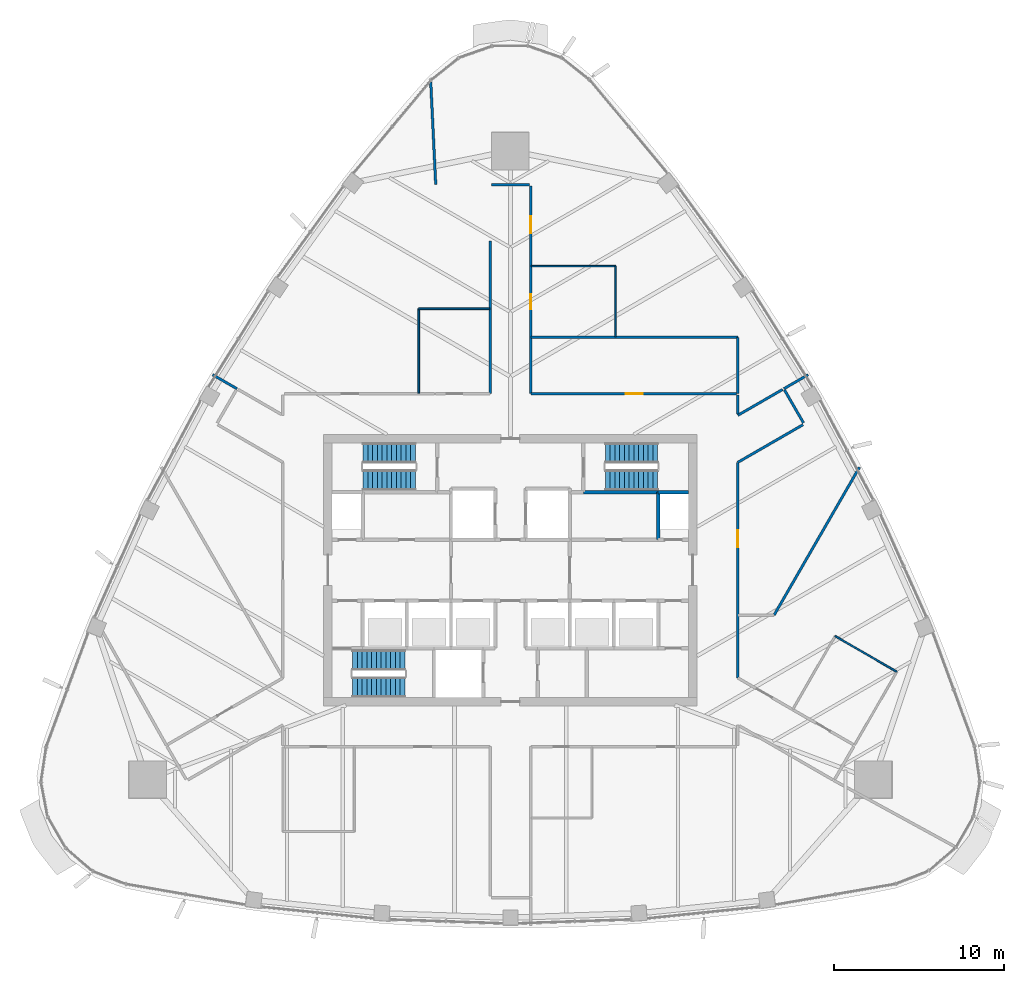
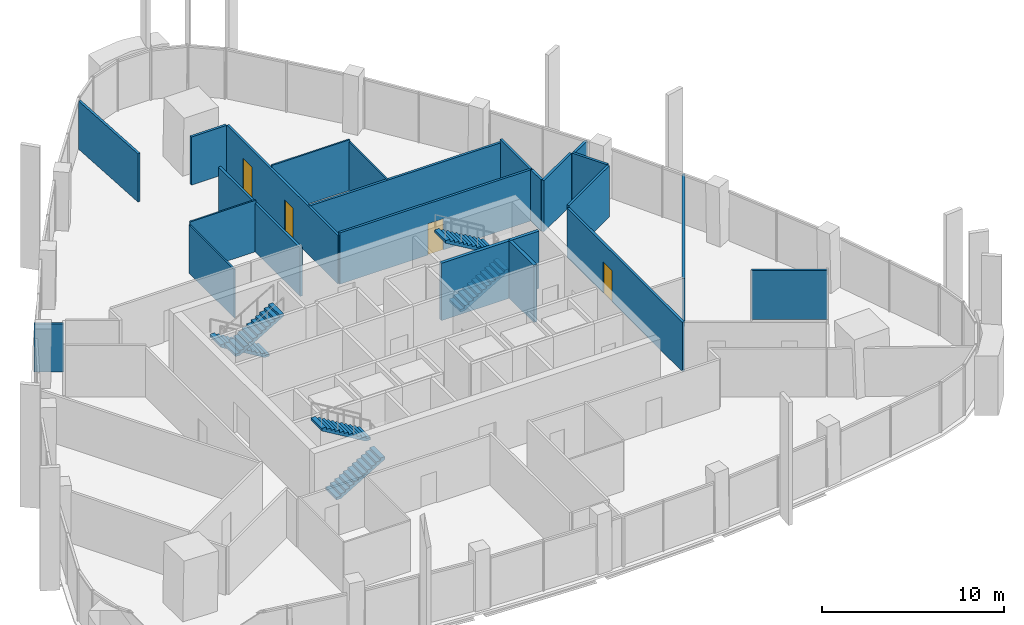
# One storey, part 11 of 18: 23 walls, 6 stair flights, 4 doors, 4 openings, 3 elements without a shape of their own.
"""IFC4 building model written with IfcOpenShell, lengths in metres."""

from ifc_helpers import new_model, si_unit, direction, frame, frame_2d, origin, place, context, subcontext, project, spatial, polyline, rectangle, outline, extrude, material, layer, layer_set, type_object, element, fill, aggregate, save


model = new_model("IFC4")

# Units and contexts
model_context = context("Model", 3, precision=1e-05, world=origin(), true_north=direction((0.0, 1.0)))
body_context = subcontext(model_context, "Body", "Model", "MODEL_VIEW")
ifc_project = project(units=[si_unit("LENGTHUNIT", "METRE"), si_unit("AREAUNIT", "SQUARE_METRE"), si_unit("VOLUMEUNIT", "CUBIC_METRE"), si_unit("PLANEANGLEUNIT", "RADIAN"), si_unit("MASSUNIT", "GRAM", prefix="KILO")], contexts=[model_context])

# Site, building, storey
site_placement = place(None, origin())
site = spatial("IfcSite", under=ifc_project, at=site_placement, CompositionType="ELEMENT")
building_placement = place(site_placement, origin())
building = spatial("IfcBuilding", under=site, at=building_placement, Name="Sierra Prisma Convention Tower", CompositionType="ELEMENT")
storey_placement = place(building_placement, frame((0.0, 0.0, 263.0)))
storey = spatial("IfcBuildingStorey", under=building, at=storey_placement, Name="L59", CompositionType="ELEMENT", Elevation=263.0)

# Walls
ifc_material_1 = material(Name="Gypsum board partition", Category="gypsum")
ifc_layer_1 = layer(ifc_material_1, 0.10009765625)
ifc_layer_set_1 = layer_set([ifc_layer_1], Name="Bathroom partition 100")
wall_type_1 = type_object("IfcWallType", Name="Bathroom partition 100", PredefinedType="PARTITIONING", material=ifc_layer_set_1)
wall_1_placement = place(storey_placement, frame((-5.39990234375, 10.429931640625, 0.0), z_axis=(0.0, 0.0, 1.0), x_axis=(0.0, 1.0, 0.0)))
element("IfcWall", 1, at=wall_1_placement, inside=storey, type_object=wall_type_1, Name="Partition L59 bath 4", PredefinedType="PARTITIONING", context=body_context, shape_type="SweptSolid", body=[
    extrude(rectangle(XDim=4.969970703125, YDim=0.10009765625, at=frame_2d((2.48486328125, 0.0))), origin(), (0.0, 0.0, 1.0), 3.2470703125),
])
wall_2_placement = place(storey_placement, frame((-5.39990234375, 15.39990234375, 0.0), z_axis=(0.0, 0.0, 1.0), x_axis=(1.0, 0.0, 0.0)))
element("IfcWall", 2, at=wall_2_placement, inside=storey, type_object=wall_type_1, Name="Partition L59 bath 5", PredefinedType="PARTITIONING", context=body_context, shape_type="SweptSolid", body=[
    extrude(rectangle(XDim=4.169921875, YDim=0.10009765625, at=frame_2d((2.0849609375, 0.0))), origin(), (0.0, 0.0, 1.0), 3.449951171875),
])
wall_3_placement = place(storey_placement, frame((1.22998046875, 17.9111328125, 0.0), z_axis=(0.0, 0.0, 1.0), x_axis=(1.0, 0.0, 0.0)))
element("IfcWall", 3, at=wall_3_placement, inside=storey, type_object=wall_type_1, Name="Partition L59 bath 8", PredefinedType="PARTITIONING", context=body_context, shape_type="SweptSolid", body=[
    extrude(rectangle(XDim=4.969970703125, YDim=0.10009765625, at=frame_2d((2.48486328125, 0.0))), origin(), (0.0, 0.0, 1.0), 3.39306640625),
])
wall_4_placement = place(storey_placement, frame((6.199951171875, 17.9111328125, 0.0), z_axis=(0.0, 0.0, 1.0), x_axis=(0.0, -1.0, 0.0)))
element("IfcWall", 4, at=wall_4_placement, inside=storey, type_object=wall_type_1, Name="Partition L59 bath 9", PredefinedType="PARTITIONING", context=body_context, shape_type="SweptSolid", body=[
    extrude(rectangle(XDim=4.169921875, YDim=0.10009765625, at=frame_2d((2.0849609375, 0.0))), origin(), (0.0, 0.0, 1.0), 3.2470703125),
])
wall_5_placement = place(storey_placement, frame((19.131103515625, -3.88623046875, 0.0), z_axis=(0.0, 0.0, 1.0), x_axis=(0.866034573852, -0.49998411664, 0.0)))
element("IfcWall", 5, at=wall_5_placement, inside=storey, type_object=wall_type_1, Name="Partition L59 bath 11", PredefinedType="PARTITIONING", context=body_context, shape_type="SweptSolid", body=[
    extrude(rectangle(XDim=4.199951171875, YDim=0.10009765625, at=frame_2d((2.10009765625, 0.0))), origin(), (0.0, 0.0, 1.0), 3.31689453125),
])
ifc_material_2 = material(Name="Concrete C30/37", Category="concrete")
ifc_layer_2 = layer(ifc_material_2, 0.199951171875)
ifc_layer_set_2 = layer_set([ifc_layer_2], Name="Core wall RC 200 C30/37")
wall_type_2 = type_object("IfcWallType", Name="Core wall RC 200 C30/37", PredefinedType="SOLIDWALL", material=ifc_layer_set_2)
wall_6_placement = place(storey_placement, frame((8.699951171875, 4.60009765625, 0.0), z_axis=(0.0, 0.0, 1.0), x_axis=(-1.0, 0.0, 0.0)))
element("IfcWall", 6, at=wall_6_placement, inside=storey, type_object=wall_type_2, Name="Core wall L59 48", PredefinedType="SOLIDWALL", context=body_context, shape_type="SweptSolid", body=[
    extrude(rectangle(XDim=4.39990234375, YDim=0.199951171875, at=frame_2d((2.199951171875, 0.0))), origin(), (0.0, 0.0, 1.0), 3.85009765625),
])
wall_7_placement = place(storey_placement, frame((8.699951171875, 1.800048828125, 0.0), z_axis=(0.0, 0.0, 1.0), x_axis=(0.0, 1.0, 0.0)))
element("IfcWall", 7, at=wall_7_placement, inside=storey, type_object=wall_type_2, Name="Core wall L59 59", PredefinedType="SOLIDWALL", context=body_context, shape_type="SweptSolid", body=[
    extrude(rectangle(XDim=2.800048828125, YDim=0.199951171875, at=frame_2d((1.39990234375, 0.0))), origin(), (0.0, 0.0, 1.0), 3.85009765625),
])
wall_8_placement = place(storey_placement, frame((10.5, 4.60009765625, 0.0), z_axis=(0.0, 0.0, 1.0), x_axis=(-1.0, 0.0, 0.0)))
element("IfcWall", 8, at=wall_8_placement, inside=storey, type_object=wall_type_2, Name="Core wall L59 60", PredefinedType="SOLIDWALL", context=body_context, shape_type="SweptSolid", body=[
    extrude(rectangle(XDim=1.800048828125, YDim=0.199951171875, at=frame_2d((0.89990234375, 0.0))), origin(), (0.0, 0.0, 1.0), 3.85009765625),
])
ifc_material_3 = material(Name="Gypsum board partition", Category="gypsum")
ifc_layer_3 = layer(ifc_material_3, 0.14990234375)
ifc_layer_set_3 = layer_set([ifc_layer_3], Name="Corridor wall 150 gypsum EI 60")
wall_type_3 = type_object("IfcWallType", Name="Corridor wall 150 gypsum EI 60", PredefinedType="PARTITIONING", material=ifc_layer_set_3)
wall_9_placement = place(storey_placement, frame((-1.199951171875, 19.39990234375, 0.0), z_axis=(0.0, 0.0, 1.0), x_axis=(0.0, -1.0, 0.0)))
element("IfcWall", 9, at=wall_9_placement, inside=storey, type_object=wall_type_3, Name="Partition L59 corr 13", PredefinedType="PARTITIONING", context=body_context, shape_type="SweptSolid", body=[
    extrude(rectangle(XDim=9.0, YDim=0.14990234375, at=frame_2d((4.5, 0.0))), origin(), (0.0, 0.0, 1.0), 3.2470703125),
])
wall_10_placement = place(storey_placement, frame((1.1201171875, 22.711181640625, 0.0), z_axis=(0.0, 0.0, 1.0), x_axis=(-1.0, 0.0, 0.0)))
element("IfcWall", 10, at=wall_10_placement, inside=storey, type_object=wall_type_3, Name="Partition L59 corr 16", PredefinedType="PARTITIONING", context=body_context, shape_type="SweptSolid", body=[
    extrude(rectangle(XDim=2.240234375, YDim=0.14990234375, at=frame_2d((1.1201171875, 0.0))), origin(), (0.0, 0.0, 1.0), 3.23291015625),
])

# Wall, opening, door
wall_11_placement = place(storey_placement, frame((13.320068359375, 10.39990234375, 0.0), z_axis=(0.0, 0.0, 1.0), x_axis=(-1.0, 0.0, 0.0)))
wall_11 = element("IfcWall", 11, at=wall_11_placement, inside=storey, type_object=wall_type_3, Name="Partition L59 corr 19", PredefinedType="PARTITIONING", context=body_context, shape_type="SweptSolid", body=[
    extrude(rectangle(XDim=12.1201171875, YDim=0.14990234375, at=frame_2d((6.06005859375, 0.0))), origin(), (0.0, 0.0, 1.0), 3.443115234375),
])
opening_1_placement = place(wall_11_placement, frame((5.52001953125, 0.0, 0.0)))
opening_1 = element("IfcOpeningElement", 12, at=opening_1_placement, cuts=wall_11, Name="Opening L59-D026", PredefinedType="OPENING", context=body_context, shape_type="SweptSolid", body=[
    extrude(rectangle(XDim=1.0, YDim=2.10009765625, at=frame_2d((0.5, 1.050048828125))), frame((0.0, 0.074951171875, 0.0), z_axis=(0.0, -1.0, 0.0), x_axis=(1.0, 0.0, 0.0)), (0.0, 0.0, 1.0), 0.14990234375),
])
ifc_material_4 = material(Name="Steel fire door leaf", Category="steel")
door_type_1 = type_object("IfcDoorType", Name="Door 1000x2100 FD30S", OperationType="SINGLE_SWING_LEFT", PredefinedType="DOOR", material=ifc_material_4)
door_1_placement = place(opening_1_placement, origin())
door_1 = element("IfcDoor", 13, at=door_1_placement, inside=storey, type_object=door_type_1, Name="Door L59 2", OperationType="SINGLE_SWING_RIGHT", OverallHeight=2.10009765625, OverallWidth=1.0, PredefinedType="DOOR", context=body_context, shape_type="SweptSolid", body=[
    extrude(rectangle(XDim=1.0, YDim=2.10009765625, at=frame_2d((0.5, 1.050048828125))), frame((0.0, 0.02490234375, 0.0), z_axis=(0.0, -1.0, 0.0), x_axis=(1.0, 0.0, 0.0)), (0.0, 0.0, 1.0), 0.050048828125),
])
fill(opening_1, door_1)

# Wall, openings, doors
wall_12_placement = place(storey_placement, frame((1.199951171875, 10.39990234375, 0.0), z_axis=(0.0, 0.0, 1.0), x_axis=(0.0, 1.0, 0.0)))
wall_12 = element("IfcWall", 14, at=wall_12_placement, inside=storey, type_object=wall_type_3, Name="Partition L59 corr 20", PredefinedType="PARTITIONING", context=body_context, shape_type="SweptSolid", body=[
    extrude(rectangle(XDim=12.231201171875, YDim=0.14990234375, at=frame_2d((6.11572265625, 0.0))), origin(), (0.0, 0.0, 1.0), 3.2470703125),
])
opening_2_placement = place(wall_12_placement, frame((4.961181640625, 0.0, 0.0)))
opening_2 = element("IfcOpeningElement", 15, at=opening_2_placement, cuts=wall_12, Name="Opening L59-D027", PredefinedType="OPENING", context=body_context, shape_type="SweptSolid", body=[
    extrude(rectangle(XDim=0.89990234375, YDim=2.10009765625, at=frame_2d((0.449951171875, 1.050048828125))), frame((0.0, 0.074951171875, 0.0), z_axis=(0.0, -1.0, 0.0), x_axis=(1.0, 0.0, 0.0)), (0.0, 0.0, 1.0), 0.14990234375),
])
opening_3_placement = place(wall_12_placement, frame((9.461181640625, 0.0, 0.0)))
opening_3 = element("IfcOpeningElement", 16, at=opening_3_placement, cuts=wall_12, Name="Opening L59-D028", PredefinedType="OPENING", context=body_context, shape_type="SweptSolid", body=[
    extrude(rectangle(XDim=1.0, YDim=2.10009765625, at=frame_2d((0.5, 1.050048828125))), frame((0.0, 0.074951171875, 0.0), z_axis=(0.0, -1.0, 0.0), x_axis=(1.0, 0.0, 0.0)), (0.0, 0.0, 1.0), 0.14990234375),
])
door_2_placement = place(opening_3_placement, origin())
door_2 = element("IfcDoor", 17, at=door_2_placement, inside=storey, type_object=door_type_1, Name="Door L59 4", OperationType="SINGLE_SWING_RIGHT", OverallHeight=2.10009765625, OverallWidth=1.0, PredefinedType="DOOR", context=body_context, shape_type="SweptSolid", body=[
    extrude(rectangle(XDim=1.0, YDim=2.10009765625, at=frame_2d((0.5, 1.050048828125))), frame((0.0, 0.02490234375, 0.0), z_axis=(0.0, -1.0, 0.0), x_axis=(1.0, 0.0, 0.0)), (0.0, 0.0, 1.0), 0.050048828125),
])
fill(opening_3, door_2)
ifc_material_5 = material(Name="Steel fire door leaf", Category="steel")
door_type_2 = type_object("IfcDoorType", Name="Door 900x2100 FD30S", OperationType="SINGLE_SWING_LEFT", PredefinedType="DOOR", material=ifc_material_5)
door_3_placement = place(opening_2_placement, origin())
door_3 = element("IfcDoor", 18, at=door_3_placement, inside=storey, type_object=door_type_2, Name="Door L59 3", OperationType="SINGLE_SWING_RIGHT", OverallHeight=2.10009765625, OverallWidth=0.89990234375, PredefinedType="DOOR", context=body_context, shape_type="SweptSolid", body=[
    extrude(rectangle(XDim=0.89990234375, YDim=2.10009765625, at=frame_2d((0.449951171875, 1.050048828125))), frame((0.0, 0.02490234375, 0.0), z_axis=(0.0, -1.0, 0.0), x_axis=(1.0, 0.0, 0.0)), (0.0, 0.0, 1.0), 0.050048828125),
])
fill(opening_2, door_3)

# Walls
wall_13_placement = place(storey_placement, frame((16.038818359375, 10.6455078125, 0.0), z_axis=(0.0, 0.0, 1.0), x_axis=(-0.866045493049, -0.499965202759, 0.0)))
element("IfcWall", 19, at=wall_13_placement, inside=storey, type_object=wall_type_3, Name="Partition L59 corr 23", PredefinedType="PARTITIONING", context=body_context, shape_type="SweptSolid", body=[
    extrude(rectangle(XDim=3.047119140625, YDim=0.14990234375, at=frame_2d((1.5234375, 0.0))), origin(), (0.0, 0.0, 1.0), 3.449951171875),
])
wall_14_placement = place(storey_placement, frame((13.39990234375, 9.213623046875, 0.0), z_axis=(0.0, 0.0, 1.0), x_axis=(0.0, 1.0, 0.0)))
element("IfcWall", 20, at=wall_14_placement, inside=storey, type_object=wall_type_3, Name="Partition L59 corr 24", PredefinedType="PARTITIONING", context=body_context, shape_type="SweptSolid", body=[
    extrude(rectangle(XDim=1.1064453125, YDim=0.14990234375, at=frame_2d((0.55322265625, 0.0))), origin(), (0.0, 0.0, 1.0), 3.449951171875),
])
wall_15_placement = place(storey_placement, frame((17.26806640625, 8.676513671875, 0.0), z_axis=(0.0, 0.0, 1.0), x_axis=(-0.500077830873, 0.865980463445, 0.0)))
element("IfcWall", 21, at=wall_15_placement, inside=storey, type_object=wall_type_3, Name="Partition L59 corr 25", PredefinedType="PARTITIONING", context=body_context, shape_type="SweptSolid", body=[
    extrude(rectangle(XDim=2.239990234375, YDim=0.14990234375, at=frame_2d((1.1201171875, 0.0))), origin(), (0.0, 0.0, 1.0), 3.449951171875),
])

# Wall, opening, door
wall_16_placement = place(storey_placement, frame((13.39990234375, -6.350830078125, 0.0), z_axis=(0.0, 0.0, 1.0), x_axis=(0.0, 1.0, 0.0)))
wall_16 = element("IfcWall", 22, at=wall_16_placement, inside=storey, type_object=wall_type_3, Name="Partition L59 corr 27", PredefinedType="PARTITIONING", context=body_context, shape_type="SweptSolid", body=[
    extrude(rectangle(XDim=12.70166015625, YDim=0.14990234375, at=frame_2d((6.350830078125, 0.0))), origin(), (0.0, 0.0, 1.0), 3.31689453125),
])
opening_4_placement = place(wall_16_placement, frame((7.701904296875, 0.0, 0.0)))
opening_4 = element("IfcOpeningElement", 23, at=opening_4_placement, cuts=wall_16, Name="Opening L59-D025", PredefinedType="OPENING", context=body_context, shape_type="SweptSolid", body=[
    extrude(rectangle(XDim=1.0, YDim=2.10009765625, at=frame_2d((0.5, 1.050048828125))), frame((0.0, 0.074951171875, 0.0), z_axis=(0.0, -1.0, 0.0), x_axis=(1.0, 0.0, 0.0)), (0.0, 0.0, 1.0), 0.14990234375),
])
door_4_placement = place(opening_4_placement, origin())
door_4 = element("IfcDoor", 24, at=door_4_placement, inside=storey, type_object=door_type_1, Name="Door L59 1", OperationType="SINGLE_SWING_RIGHT", OverallHeight=2.10009765625, OverallWidth=1.0, PredefinedType="DOOR", context=body_context, shape_type="SweptSolid", body=[
    extrude(rectangle(XDim=1.0, YDim=2.10009765625, at=frame_2d((0.5, 1.050048828125))), frame((0.0, 0.02490234375, 0.0), z_axis=(0.0, -1.0, 0.0), x_axis=(1.0, 0.0, 0.0)), (0.0, 0.0, 1.0), 0.050048828125),
])
fill(opening_4, door_4)

# Walls
wall_17_placement = place(storey_placement, frame((13.39990234375, 6.350830078125, 0.0), z_axis=(0.0, 0.0, 1.0), x_axis=(0.866031500321, 0.49998944034, 0.0)))
element("IfcWall", 25, at=wall_17_placement, inside=storey, type_object=wall_type_3, Name="Partition L59 corr 28", PredefinedType="PARTITIONING", context=body_context, shape_type="SweptSolid", body=[
    extrude(rectangle(XDim=4.4326171875, YDim=0.14990234375, at=frame_2d((2.21630859375, 0.0))), origin(), (0.0, 0.0, 1.0), 3.449951171875),
])
ifc_material_6 = material(Name="Gypsum board partition", Category="gypsum")
ifc_layer_4 = layer(ifc_material_6, 0.14990234375)
ifc_layer_set_4 = layer_set([ifc_layer_4], Name="Party wall 150 gypsum")
wall_type_4 = type_object("IfcWallType", Name="Party wall 150 gypsum", PredefinedType="PARTITIONING", material=ifc_layer_set_4)
wall_18_placement = place(storey_placement, frame((-16.10791015625, 10.685546875, 0.0), z_axis=(0.0, 0.0, 1.0), x_axis=(-0.866057962423, 0.499943602543, 0.0)))
element("IfcWall", 26, at=wall_18_placement, inside=storey, type_object=wall_type_4, Name="Partition L59 party 3", PredefinedType="PARTITIONING", context=body_context, shape_type="SweptSolid", body=[
    extrude(rectangle(XDim=1.656494140625, YDim=0.14990234375, at=frame_2d((0.828125, 0.0))), origin(), (0.0, 0.0, 1.0), 3.23388671875),
])
wall_19_placement = place(storey_placement, frame((-4.39990234375, 22.711181640625, 0.0), z_axis=(0.0, 0.0, 1.0), x_axis=(-0.048555733499, 0.998820474732, 0.0)))
element("IfcWall", 27, at=wall_19_placement, inside=storey, type_object=wall_type_4, Name="Partition L59 party 4", PredefinedType="PARTITIONING", context=body_context, shape_type="SweptSolid", body=[
    extrude(rectangle(XDim=6.0537109375, YDim=0.14990234375, at=frame_2d((3.02685546875, 0.0))), origin(), (0.0, 0.0, 1.0), 3.23388671875),
])
wall_20_placement = place(storey_placement, frame((1.199951171875, 13.711181640625, 0.0), z_axis=(0.0, 0.0, 1.0), x_axis=(1.0, 0.0, 0.0)))
element("IfcWall", 28, at=wall_20_placement, inside=storey, type_object=wall_type_4, Name="Partition L59 party 6", PredefinedType="PARTITIONING", context=body_context, shape_type="SweptSolid", body=[
    extrude(rectangle(XDim=12.199951171875, YDim=0.14990234375, at=frame_2d((6.10009765625, 0.0))), origin(), (0.0, 0.0, 1.0), 3.2470703125),
])
wall_21_placement = place(storey_placement, frame((13.39990234375, 13.711181640625, 0.0), z_axis=(0.0, 0.0, 1.0), x_axis=(0.0, -1.0, 0.0)))
element("IfcWall", 29, at=wall_21_placement, inside=storey, type_object=wall_type_4, Name="Partition L59 party 7", PredefinedType="PARTITIONING", context=body_context, shape_type="SweptSolid", body=[
    extrude(rectangle(XDim=3.311279296875, YDim=0.14990234375, at=frame_2d((1.65576171875, 0.0))), origin(), (0.0, 0.0, 1.0), 3.443115234375),
])
wall_22_placement = place(storey_placement, frame((20.56689453125, 6.0625, 0.0), z_axis=(0.0, 0.0, 1.0), x_axis=(-0.500007469231, -0.866021091379, 0.0)))
element("IfcWall", 30, at=wall_22_placement, inside=storey, type_object=wall_type_4, Name="Partition L59 party 8", PredefinedType="PARTITIONING", context=body_context, shape_type="SweptSolid", body=[
    extrude(rectangle(XDim=10.059326171875, YDim=0.14990234375, at=frame_2d((5.02978515625, 0.0))), origin(), (0.0, 0.0, 1.0), 3.23388671875),
])
wall_23_placement = place(storey_placement, frame((16.10791015625, 10.685546875, 0.0), z_axis=(0.0, 0.0, 1.0), x_axis=(0.866057962423, 0.499943602543, 0.0)))
element("IfcWall", 31, at=wall_23_placement, inside=storey, type_object=wall_type_4, Name="Partition L59 party 10", PredefinedType="PARTITIONING", context=body_context, shape_type="SweptSolid", body=[
    extrude(rectangle(XDim=1.656494140625, YDim=0.14990234375, at=frame_2d((0.828125, 0.0))), origin(), (0.0, 0.0, 1.0), 3.23388671875),
])

# Stair, stair flights
ifc_material_7 = material(Name="Concrete C30/37", Category="concrete")
stair_type = type_object("IfcStairType", Name="Stair dog-leg 1200 RC", PredefinedType="HALF_TURN_STAIR", material=ifc_material_7)
stair_1_placement = place(storey_placement, origin())
stair_1 = element("IfcStair", 32, at=stair_1_placement, inside=storey, type_object=stair_type, Name="L59 S1", PredefinedType="HALF_TURN_STAIR")
ifc_material_8 = material(Name="Concrete C30/37", Category="concrete")
stair_flight_type = type_object("IfcStairFlightType", Name="Stair flight RC 1200", PredefinedType="STRAIGHT", material=ifc_material_8)
stair_flight_1_placement = place(storey_placement, frame((-9.300048828125, -6.89990234375, 0.0), z_axis=(0.0, 0.0, 1.0), x_axis=(1.0, 0.0, 0.0)))
stair_flight_1 = element("IfcStairFlight", 33, at=stair_flight_1_placement, type_object=stair_flight_type, Name="S1 flight 1", NumberOfRisers=12, NumberOfTreads=11, PredefinedType="STRAIGHT", RiserHeight=0.166666667, TreadLength=0.28, context=body_context, shape_type="SweptSolid", body=[
    extrude(outline(polyline([(0.0, 0.0), (0.0, 0.166748046875), (0.280029296875, 0.166748046875), (0.280029296875, 0.333251953125), (0.56005859375, 0.333251953125), (0.56005859375, 0.5), (0.840087890625, 0.5), (0.840087890625, 0.666748046875), (1.1201171875, 0.666748046875), (1.1201171875, 0.833251953125), (1.39990234375, 0.833251953125), (1.39990234375, 1.0), (1.679931640625, 1.0), (1.679931640625, 1.166748046875), (1.9599609375, 1.166748046875), (1.9599609375, 1.333251953125), (2.239990234375, 1.333251953125), (2.239990234375, 1.5), (2.52001953125, 1.5), (2.52001953125, 1.666748046875), (2.800048828125, 1.666748046875), (2.800048828125, 1.833251953125), (3.080078125, 1.833251953125), (3.080078125, 2.0), (3.080078125, 1.658935546875), (0.29296875, 0.0), (0.0, 0.0)])), frame((0.0, 0.60009765625, 0.0), z_axis=(0.0, -1.0, 0.0), x_axis=(1.0, 0.0, 0.0)), (0.0, 0.0, 1.0), 1.199951171875),
])
stair_flight_2_placement = place(storey_placement, frame((-6.219970703125, -5.300048828125, 2.0), z_axis=(0.0, 0.0, 1.0), x_axis=(-1.0, 0.0, 0.0)))
stair_flight_2 = element("IfcStairFlight", 34, at=stair_flight_2_placement, type_object=stair_flight_type, Name="S1 flight 2", NumberOfRisers=12, NumberOfTreads=11, PredefinedType="STRAIGHT", RiserHeight=0.166666667, TreadLength=0.28, context=body_context, shape_type="SweptSolid", body=[
    extrude(outline(polyline([(0.0, 0.0), (0.0, 0.166748046875), (0.280029296875, 0.166748046875), (0.280029296875, 0.333251953125), (0.56005859375, 0.333251953125), (0.56005859375, 0.5), (0.840087890625, 0.5), (0.840087890625, 0.666748046875), (1.1201171875, 0.666748046875), (1.1201171875, 0.833251953125), (1.39990234375, 0.833251953125), (1.39990234375, 1.0), (1.679931640625, 1.0), (1.679931640625, 1.166748046875), (1.9599609375, 1.166748046875), (1.9599609375, 1.333251953125), (2.239990234375, 1.333251953125), (2.239990234375, 1.5), (2.52001953125, 1.5), (2.52001953125, 1.666748046875), (2.800048828125, 1.666748046875), (2.800048828125, 1.833251953125), (3.080078125, 1.833251953125), (3.080078125, 2.0), (3.080078125, 1.658935546875), (0.29296875, 0.0), (0.0, 0.0)])), frame((0.0, 0.60009765625, 0.0), z_axis=(0.0, -1.0, 0.0), x_axis=(1.0, 0.0, 0.0)), (0.0, 0.0, 1.0), 1.199951171875),
])
aggregate(stair_1, [stair_flight_1, stair_flight_2])

stair_2_placement = place(storey_placement, origin())
stair_2 = element("IfcStair", 35, at=stair_2_placement, inside=storey, type_object=stair_type, Name="L59 S3", PredefinedType="HALF_TURN_STAIR")
stair_flight_3_placement = place(storey_placement, frame((-5.60009765625, 6.89990234375, 0.0), z_axis=(0.0, 0.0, 1.0), x_axis=(-1.0, 0.0, 0.0)))
stair_flight_3 = element("IfcStairFlight", 36, at=stair_flight_3_placement, type_object=stair_flight_type, Name="S3 flight 1", NumberOfRisers=12, NumberOfTreads=11, PredefinedType="STRAIGHT", RiserHeight=0.166666667, TreadLength=0.28, context=body_context, shape_type="SweptSolid", body=[
    extrude(outline(polyline([(0.0, 0.0), (0.0, 0.166748046875), (0.280029296875, 0.166748046875), (0.280029296875, 0.333251953125), (0.56005859375, 0.333251953125), (0.56005859375, 0.5), (0.840087890625, 0.5), (0.840087890625, 0.666748046875), (1.1201171875, 0.666748046875), (1.1201171875, 0.833251953125), (1.39990234375, 0.833251953125), (1.39990234375, 1.0), (1.679931640625, 1.0), (1.679931640625, 1.166748046875), (1.9599609375, 1.166748046875), (1.9599609375, 1.333251953125), (2.239990234375, 1.333251953125), (2.239990234375, 1.5), (2.52001953125, 1.5), (2.52001953125, 1.666748046875), (2.800048828125, 1.666748046875), (2.800048828125, 1.833251953125), (3.080078125, 1.833251953125), (3.080078125, 2.0), (3.080078125, 1.658935546875), (0.29296875, 0.0), (0.0, 0.0)])), frame((0.0, 0.60009765625, 0.0), z_axis=(0.0, -1.0, 0.0), x_axis=(1.0, 0.0, 0.0)), (0.0, 0.0, 1.0), 1.199951171875),
])
stair_flight_4_placement = place(storey_placement, frame((-8.679931640625, 5.300048828125, 2.0), z_axis=(0.0, 0.0, 1.0), x_axis=(1.0, 0.0, 0.0)))
stair_flight_4 = element("IfcStairFlight", 37, at=stair_flight_4_placement, type_object=stair_flight_type, Name="S3 flight 2", NumberOfRisers=12, NumberOfTreads=11, PredefinedType="STRAIGHT", RiserHeight=0.166666667, TreadLength=0.28, context=body_context, shape_type="SweptSolid", body=[
    extrude(outline(polyline([(0.0, 0.0), (0.0, 0.166748046875), (0.280029296875, 0.166748046875), (0.280029296875, 0.333251953125), (0.56005859375, 0.333251953125), (0.56005859375, 0.5), (0.840087890625, 0.5), (0.840087890625, 0.666748046875), (1.1201171875, 0.666748046875), (1.1201171875, 0.833251953125), (1.39990234375, 0.833251953125), (1.39990234375, 1.0), (1.679931640625, 1.0), (1.679931640625, 1.166748046875), (1.9599609375, 1.166748046875), (1.9599609375, 1.333251953125), (2.239990234375, 1.333251953125), (2.239990234375, 1.5), (2.52001953125, 1.5), (2.52001953125, 1.666748046875), (2.800048828125, 1.666748046875), (2.800048828125, 1.833251953125), (3.080078125, 1.833251953125), (3.080078125, 2.0), (3.080078125, 1.658935546875), (0.29296875, 0.0), (0.0, 0.0)])), frame((0.0, 0.60009765625, 0.0), z_axis=(0.0, -1.0, 0.0), x_axis=(1.0, 0.0, 0.0)), (0.0, 0.0, 1.0), 1.199951171875),
])
aggregate(stair_2, [stair_flight_3, stair_flight_4])

stair_3_placement = place(storey_placement, origin())
stair_3 = element("IfcStair", 38, at=stair_3_placement, inside=storey, type_object=stair_type, Name="L59 S4", PredefinedType="HALF_TURN_STAIR")
stair_flight_5_placement = place(storey_placement, frame((5.60009765625, 5.300048828125, 0.0), z_axis=(0.0, 0.0, 1.0), x_axis=(1.0, 0.0, 0.0)))
stair_flight_5 = element("IfcStairFlight", 39, at=stair_flight_5_placement, type_object=stair_flight_type, Name="S4 flight 1", NumberOfRisers=12, NumberOfTreads=11, PredefinedType="STRAIGHT", RiserHeight=0.166666667, TreadLength=0.28, context=body_context, shape_type="SweptSolid", body=[
    extrude(outline(polyline([(0.0, 0.0), (0.0, 0.166748046875), (0.280029296875, 0.166748046875), (0.280029296875, 0.333251953125), (0.56005859375, 0.333251953125), (0.56005859375, 0.5), (0.840087890625, 0.5), (0.840087890625, 0.666748046875), (1.1201171875, 0.666748046875), (1.1201171875, 0.833251953125), (1.39990234375, 0.833251953125), (1.39990234375, 1.0), (1.679931640625, 1.0), (1.679931640625, 1.166748046875), (1.9599609375, 1.166748046875), (1.9599609375, 1.333251953125), (2.239990234375, 1.333251953125), (2.239990234375, 1.5), (2.52001953125, 1.5), (2.52001953125, 1.666748046875), (2.800048828125, 1.666748046875), (2.800048828125, 1.833251953125), (3.080078125, 1.833251953125), (3.080078125, 2.0), (3.080078125, 1.658935546875), (0.29296875, 0.0), (0.0, 0.0)])), frame((0.0, 0.60009765625, 0.0), z_axis=(0.0, -1.0, 0.0), x_axis=(1.0, 0.0, 0.0)), (0.0, 0.0, 1.0), 1.199951171875),
])
stair_flight_6_placement = place(storey_placement, frame((8.679931640625, 6.89990234375, 2.0), z_axis=(0.0, 0.0, 1.0), x_axis=(-1.0, 0.0, 0.0)))
stair_flight_6 = element("IfcStairFlight", 40, at=stair_flight_6_placement, type_object=stair_flight_type, Name="S4 flight 2", NumberOfRisers=12, NumberOfTreads=11, PredefinedType="STRAIGHT", RiserHeight=0.166666667, TreadLength=0.28, context=body_context, shape_type="SweptSolid", body=[
    extrude(outline(polyline([(0.0, 0.0), (0.0, 0.166748046875), (0.280029296875, 0.166748046875), (0.280029296875, 0.333251953125), (0.56005859375, 0.333251953125), (0.56005859375, 0.5), (0.840087890625, 0.5), (0.840087890625, 0.666748046875), (1.1201171875, 0.666748046875), (1.1201171875, 0.833251953125), (1.39990234375, 0.833251953125), (1.39990234375, 1.0), (1.679931640625, 1.0), (1.679931640625, 1.166748046875), (1.9599609375, 1.166748046875), (1.9599609375, 1.333251953125), (2.239990234375, 1.333251953125), (2.239990234375, 1.5), (2.52001953125, 1.5), (2.52001953125, 1.666748046875), (2.800048828125, 1.666748046875), (2.800048828125, 1.833251953125), (3.080078125, 1.833251953125), (3.080078125, 2.0), (3.080078125, 1.658935546875), (0.29296875, 0.0), (0.0, 0.0)])), frame((0.0, 0.60009765625, 0.0), z_axis=(0.0, -1.0, 0.0), x_axis=(1.0, 0.0, 0.0)), (0.0, 0.0, 1.0), 1.199951171875),
])
aggregate(stair_3, [stair_flight_5, stair_flight_6])

save(model, "model.ifc")
